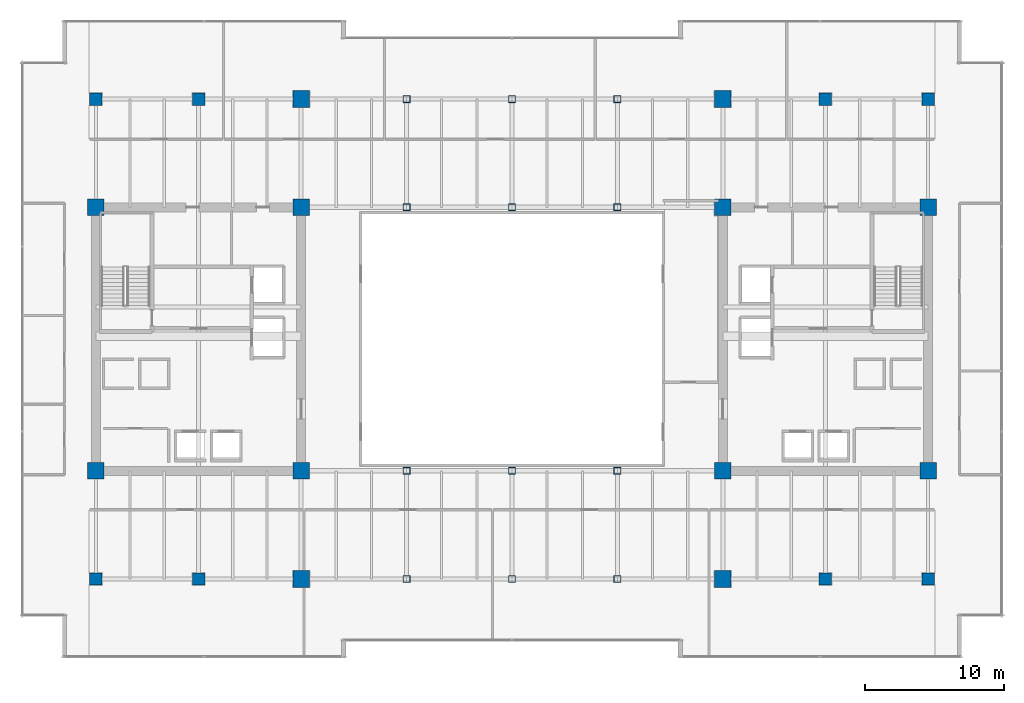
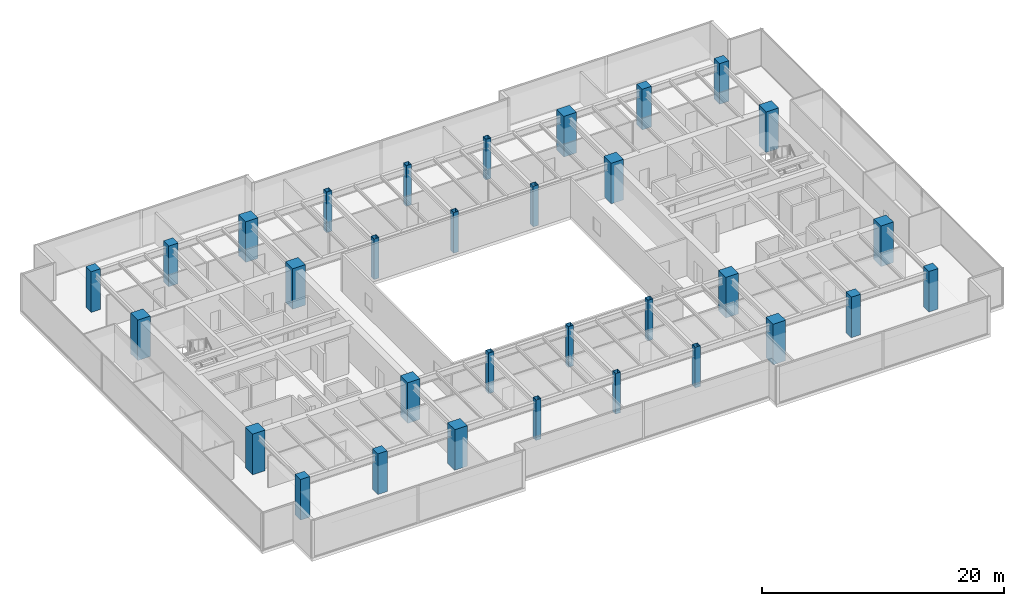
# One storey, part 1 of 34: 32 columns.
"""IFC4 building model written with IfcOpenShell, lengths in metres."""

from ifc_helpers import new_model, si_unit, direction, frame, origin, origin_2d, place, context, subcontext, project, spatial, rectangle, hollow_rectangle, extrude, source, transform, mapped, material, material_profile, profile_set, type_object, type_shapes, element, save


model = new_model("IFC4")

# Units and contexts
model_context = context("Model", 3, precision=1e-05, world=origin(), true_north=direction((0.0, 1.0)))
body_context = subcontext(model_context, "Body", "Model", "MODEL_VIEW")
ifc_project = project(units=[si_unit("LENGTHUNIT", "METRE"), si_unit("AREAUNIT", "SQUARE_METRE"), si_unit("VOLUMEUNIT", "CUBIC_METRE"), si_unit("PLANEANGLEUNIT", "RADIAN"), si_unit("MASSUNIT", "GRAM", prefix="KILO")], contexts=[model_context])

# Site, building, storey
site_placement = place(None, origin())
site = spatial("IfcSite", under=ifc_project, at=site_placement, CompositionType="ELEMENT")
building_placement = place(site_placement, origin())
building = spatial("IfcBuilding", under=site, at=building_placement, Name="Haelvirn Gate Laboratories", CompositionType="ELEMENT")
storey_placement = place(building_placement, frame((0.0, 0.0, 178.89990234375)))
storey = spatial("IfcBuildingStorey", under=building, at=storey_placement, Name="L43", CompositionType="ELEMENT", Elevation=178.89990234375)

# Columns
ifc_material_1 = material(Name="Concrete C50/60", Category="concrete")
ifc_material_profile_1 = material_profile(ifc_material_1, rectangle(XDim=0.89990234375, YDim=0.89990234375, at=origin_2d()), Name="RC-900x900")
ifc_profile_set_1 = profile_set([ifc_material_profile_1], Name="Concrete C50/60")
column_type_1 = type_object("IfcColumnType", Name="COL-RC-900", PredefinedType="COLUMN", material=ifc_profile_set_1)
shared_shape_1 = source(origin(), body_context, "Body", "SweptSolid", [
    extrude(rectangle(XDim=0.89990234375, YDim=0.89990234375, at=origin_2d()), origin(), (0.0, 0.0, 1.0), 4.10009765625),
])
type_shapes(column_type_1, [shared_shape_1])
for number, where, z_axis, x_axis, name in (
    (1, (14.800048828125, 7.0, 0.0), (0.0, 0.0, 1.0), (1.0, 0.0, 0.0), "L43 Column 3B"),
    (2, (14.800048828125, 41.60009765625, 0.0), (0.0, 0.0, 1.0), (1.0, 0.0, 0.0), "L43 Column 3G"),
    (3, (60.0, 7.0, 0.0), (0.0, 0.0, 1.0), (1.0, 0.0, 0.0), "L43 Column 9B"),
    (4, (60.0, 41.60009765625, 0.0), (0.0, 0.0, 1.0), (1.0, 0.0, 0.0), "L43 Column 9G"),
    (5, (7.39990234375, 7.0, 0.0), (0.0, 0.0, 1.0), (1.0, 0.0, 0.0), "L43 Column 2B"),
    (6, (7.39990234375, 41.60009765625, 0.0), (0.0, 0.0, 1.0), (1.0, 0.0, 0.0), "L43 Column 2G"),
    (7, (67.39990234375, 7.0, 0.0), (0.0, 0.0, 1.0), (1.0, 0.0, 0.0), "L43 Column 10B"),
    (8, (67.39990234375, 41.60009765625, 0.0), (0.0, 0.0, 1.0), (1.0, 0.0, 0.0), "L43 Column 10G"),
):
    element("IfcColumn", number, at=place(storey_placement, frame(where, z_axis=z_axis, x_axis=x_axis)), inside=storey, type_object=column_type_1, Name=name, PredefinedType="COLUMN", context=body_context, shape_type="MappedRepresentation", body=[
        mapped(shared_shape_1, transform((0.0, 0.0, 0.0), scale=1.0)),
    ])
ifc_material_2 = material(Name="Concrete C60/75", Category="concrete")
ifc_material_profile_2 = material_profile(ifc_material_2, rectangle(XDim=1.199951171875, YDim=1.199951171875, at=origin_2d()), Name="SRC-1200x1200")
ifc_profile_set_2 = profile_set([ifc_material_profile_2], Name="Concrete C60/75")
column_type_2 = type_object("IfcColumnType", Name="COL-SRC-1200", PredefinedType="COLUMN", material=ifc_profile_set_2)
shared_shape_2 = source(origin(), body_context, "Body", "SweptSolid", [
    extrude(rectangle(XDim=1.199951171875, YDim=1.199951171875, at=origin_2d()), origin(), (0.0, 0.0, 1.0), 4.10009765625),
])
type_shapes(column_type_2, [shared_shape_2])
for number, where, z_axis, x_axis, name in (
    (9, (22.199951171875, 7.0, 0.0), (0.0, 0.0, 1.0), (1.0, 0.0, 0.0), "L43 Column 4B"),
    (10, (7.39990234375, 14.800048828125, 0.0), (0.0, 0.0, 1.0), (1.0, 0.0, 0.0), "L43 Column 2C"),
    (11, (22.199951171875, 14.800048828125, 0.0), (0.0, 0.0, 1.0), (1.0, 0.0, 0.0), "L43 Column 4C"),
    (12, (7.39990234375, 33.800048828125, 0.0), (0.0, 0.0, 1.0), (1.0, 0.0, 0.0), "L43 Column 2F"),
    (13, (22.199951171875, 33.800048828125, 0.0), (0.0, 0.0, 1.0), (1.0, 0.0, 0.0), "L43 Column 4F"),
    (14, (22.199951171875, 41.60009765625, 0.0), (0.0, 0.0, 1.0), (1.0, 0.0, 0.0), "L43 Column 4G"),
    (15, (52.60009765625, 7.0, 0.0), (0.0, 0.0, 1.0), (1.0, 0.0, 0.0), "L43 Column 8B"),
    (16, (52.60009765625, 14.800048828125, 0.0), (0.0, 0.0, 1.0), (1.0, 0.0, 0.0), "L43 Column 8C"),
    (17, (67.39990234375, 14.800048828125, 0.0), (0.0, 0.0, 1.0), (1.0, 0.0, 0.0), "L43 Column 10C"),
    (18, (52.60009765625, 33.800048828125, 0.0), (0.0, 0.0, 1.0), (1.0, 0.0, 0.0), "L43 Column 8F"),
    (19, (67.39990234375, 33.800048828125, 0.0), (0.0, 0.0, 1.0), (1.0, 0.0, 0.0), "L43 Column 10F"),
    (20, (52.60009765625, 41.60009765625, 0.0), (0.0, 0.0, 1.0), (1.0, 0.0, 0.0), "L43 Column 8G"),
):
    element("IfcColumn", number, at=place(storey_placement, frame(where, z_axis=z_axis, x_axis=x_axis)), inside=storey, type_object=column_type_2, Name=name, PredefinedType="COLUMN", context=body_context, shape_type="MappedRepresentation", body=[
        mapped(shared_shape_2, transform((0.0, 0.0, 0.0), scale=1.0)),
    ])
ifc_material_3 = material(Name="Steel SM355", Category="steel")
ifc_material_profile_3 = material_profile(ifc_material_3, hollow_rectangle(XDim=0.5, YDim=0.5, WallThickness=0.02197265625, at=origin_2d()), Name="BOX-500x500x22")
ifc_profile_set_3 = profile_set([ifc_material_profile_3], Name="Steel SM355")
column_type_3 = type_object("IfcColumnType", Name="COL-BOX-500", PredefinedType="COLUMN", material=ifc_profile_set_3)
shared_shape_3 = source(origin(), body_context, "Body", "SweptSolid", [
    extrude(hollow_rectangle(XDim=0.5, YDim=0.5, WallThickness=0.02197265625, at=origin_2d()), origin(), (0.0, 0.0, 1.0), 4.10009765625),
])
type_shapes(column_type_3, [shared_shape_3])
for number, where, z_axis, x_axis, name in (
    (21, (29.800048828125, 7.0, 0.0), (0.0, 0.0, 1.0), (1.0, 0.0, 0.0), "L43 Column 5B"),
    (22, (29.800048828125, 14.800048828125, 0.0), (0.0, 0.0, 1.0), (1.0, 0.0, 0.0), "L43 Column 5C"),
    (23, (29.800048828125, 33.800048828125, 0.0), (0.0, 0.0, 1.0), (1.0, 0.0, 0.0), "L43 Column 5F"),
    (24, (29.800048828125, 41.60009765625, 0.0), (0.0, 0.0, 1.0), (1.0, 0.0, 0.0), "L43 Column 5G"),
    (25, (37.39990234375, 7.0, 0.0), (0.0, 0.0, 1.0), (1.0, 0.0, 0.0), "L43 Column 6B"),
    (26, (37.39990234375, 14.800048828125, 0.0), (0.0, 0.0, 1.0), (1.0, 0.0, 0.0), "L43 Column 6C"),
    (27, (37.39990234375, 33.800048828125, 0.0), (0.0, 0.0, 1.0), (1.0, 0.0, 0.0), "L43 Column 6F"),
    (28, (37.39990234375, 41.60009765625, 0.0), (0.0, 0.0, 1.0), (1.0, 0.0, 0.0), "L43 Column 6G"),
    (29, (45.0, 7.0, 0.0), (0.0, 0.0, 1.0), (1.0, 0.0, 0.0), "L43 Column 7B"),
    (30, (45.0, 14.800048828125, 0.0), (0.0, 0.0, 1.0), (1.0, 0.0, 0.0), "L43 Column 7C"),
    (31, (45.0, 33.800048828125, 0.0), (0.0, 0.0, 1.0), (1.0, 0.0, 0.0), "L43 Column 7F"),
    (32, (45.0, 41.60009765625, 0.0), (0.0, 0.0, 1.0), (1.0, 0.0, 0.0), "L43 Column 7G"),
):
    element("IfcColumn", number, at=place(storey_placement, frame(where, z_axis=z_axis, x_axis=x_axis)), inside=storey, type_object=column_type_3, Name=name, PredefinedType="COLUMN", context=body_context, shape_type="MappedRepresentation", body=[
        mapped(shared_shape_3, transform((0.0, 0.0, 0.0), scale=1.0)),
    ])

save(model, "model.ifc")
